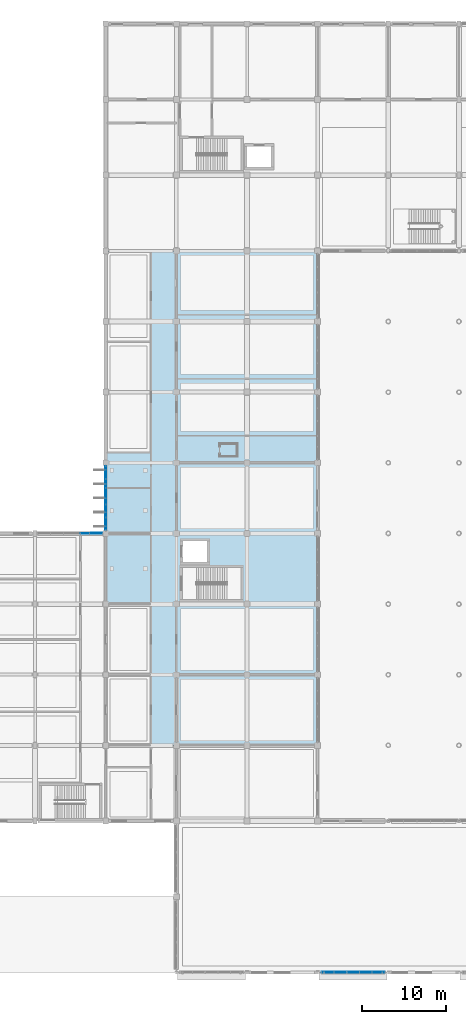
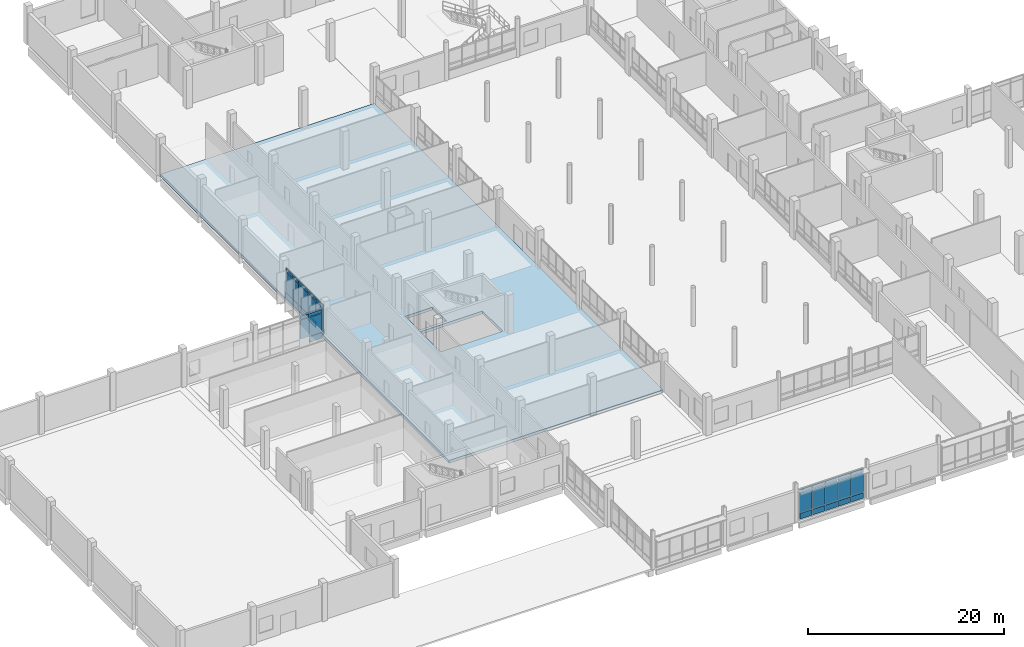
# One storey, part 63 of 95: 35 plates, 1 slab, 2 openings, 3 elements without a shape of their own.
"""IFC4 building model written with IfcOpenShell, lengths in metres."""

from ifc_helpers import new_model, si_unit, direction, frame, origin, origin_2d, place, context, subcontext, project, spatial, polyline, rectangle, outline, extrude, material, layer, layer_set, type_object, element, aggregate, save


model = new_model("IFC4")

# Units and contexts
model_context = context("Model", 3, precision=1e-05, world=origin(), true_north=direction((0.0, 1.0)))
body_context = subcontext(model_context, "Body", "Model", "MODEL_VIEW")
ifc_project = project(units=[si_unit("LENGTHUNIT", "METRE"), si_unit("AREAUNIT", "SQUARE_METRE"), si_unit("VOLUMEUNIT", "CUBIC_METRE"), si_unit("PLANEANGLEUNIT", "RADIAN"), si_unit("MASSUNIT", "GRAM", prefix="KILO")], contexts=[model_context])

# Site, building, storey
site_placement = place(None, origin())
site = spatial("IfcSite", under=ifc_project, at=site_placement, CompositionType="ELEMENT")
building_placement = place(site_placement, origin())
building = spatial("IfcBuilding", under=site, at=building_placement, Name="Vireocrest Preparatory School", CompositionType="ELEMENT")
storey_placement = place(building_placement, origin())
storey = spatial("IfcBuildingStorey", under=building, at=storey_placement, Name="L00", CompositionType="ELEMENT", Elevation=0.0)

# Curtain wall, plates
ifc_material_1 = material(Name="Thermally broken aluminium EN AW-6063-T6", Category="aluminium")
ifc_layer_1 = layer(ifc_material_1, 0.179931640625)
ifc_layer_set_1 = layer_set([ifc_layer_1], Name="Thermally broken aluminium EN AW-6063-T6")
curtain_wall_type_1 = type_object("IfcCurtainWallType", Name="Ground Storefront Curtain Wall 8400x4800", PredefinedType="USERDEFINED", material=ifc_layer_set_1)
curtain_wall_1_placement = place(storey_placement, origin())
curtain_wall_1 = element("IfcCurtainWall", 1, at=curtain_wall_1_placement, inside=storey, type_object=curtain_wall_type_1, Name="Curtain Wall CW04 CW_L00_CW04_0420_0525_000", ObjectType="CURTAIN WALL", PredefinedType="USERDEFINED")
ifc_material_2 = material(Name="Insulated triple low-e tempered safety glass", Category="glass")
ifc_layer_2 = layer(ifc_material_2, 0.074951171875)
ifc_layer_set_2 = layer_set([ifc_layer_2], Name="Insulated triple low-e tempered safety glass")
plate_type_1 = type_object("IfcPlateType", Name="Acoustic Triple-Glazed Lab Curtain Panel 75", PredefinedType="CURTAIN_PANEL", material=ifc_layer_set_2)
plate_1_placement = place(storey_placement, frame((42.0, 53.347900390625, 0.88232421875), z_axis=(0.0, 0.0, 1.0), x_axis=(0.0, 1.0, 0.0)))
plate_1 = element("IfcPlate", 2, at=plate_1_placement, type_object=plate_type_1, Name="CW Panel GL2 CW_L00_CW04_0420_0525_000-1-2", PredefinedType="CURTAIN_PANEL", context=body_context, shape_type="SweptSolid", body=[
    extrude(rectangle(XDim=1.4609375, YDim=0.074951171875, at=origin_2d()), origin(), (0.0, 0.0, 1.0), 2.487060546875),
])
plate_2_placement = place(storey_placement, frame((42.0, 53.347900390625, 3.4345703125), z_axis=(0.0, 0.0, 1.0), x_axis=(0.0, 1.0, 0.0)))
plate_2 = element("IfcPlate", 3, at=plate_2_placement, type_object=plate_type_1, Name="CW Panel GL2 CW_L00_CW04_0420_0525_000-1-3", PredefinedType="CURTAIN_PANEL", context=body_context, shape_type="SweptSolid", body=[
    extrude(rectangle(XDim=1.4609375, YDim=0.074951171875, at=origin_2d()), origin(), (0.0, 0.0, 1.0), 0.409912109375),
])
plate_3_placement = place(storey_placement, frame((42.0, 54.8740234375, 0.88232421875), z_axis=(0.0, 0.0, 1.0), x_axis=(0.0, 1.0, 0.0)))
plate_3 = element("IfcPlate", 4, at=plate_3_placement, type_object=plate_type_1, Name="CW Panel GL2 CW_L00_CW04_0420_0525_000-2-2", PredefinedType="CURTAIN_PANEL", context=body_context, shape_type="SweptSolid", body=[
    extrude(rectangle(XDim=1.4609375, YDim=0.074951171875, at=origin_2d()), origin(), (0.0, 0.0, 1.0), 2.487060546875),
])
plate_4_placement = place(storey_placement, frame((42.0, 54.8740234375, 3.4345703125), z_axis=(0.0, 0.0, 1.0), x_axis=(0.0, 1.0, 0.0)))
plate_4 = element("IfcPlate", 5, at=plate_4_placement, type_object=plate_type_1, Name="CW Panel GL2 CW_L00_CW04_0420_0525_000-2-3", PredefinedType="CURTAIN_PANEL", context=body_context, shape_type="SweptSolid", body=[
    extrude(rectangle(XDim=1.4609375, YDim=0.074951171875, at=origin_2d()), origin(), (0.0, 0.0, 1.0), 0.409912109375),
])
plate_5_placement = place(storey_placement, frame((42.0, 56.618408203125, 0.88232421875), z_axis=(0.0, 0.0, 1.0), x_axis=(0.0, 1.0, 0.0)))
plate_5 = element("IfcPlate", 6, at=plate_5_placement, type_object=plate_type_1, Name="CW Panel GL2 CW_L00_CW04_0420_0525_000-3-2", PredefinedType="CURTAIN_PANEL", context=body_context, shape_type="SweptSolid", body=[
    extrude(rectangle(XDim=1.89794921875, YDim=0.074951171875, at=origin_2d()), origin(), (0.0, 0.0, 1.0), 2.487060546875),
])
plate_6_placement = place(storey_placement, frame((42.0, 56.618408203125, 3.4345703125), z_axis=(0.0, 0.0, 1.0), x_axis=(0.0, 1.0, 0.0)))
plate_6 = element("IfcPlate", 7, at=plate_6_placement, type_object=plate_type_1, Name="CW Panel GL2 CW_L00_CW04_0420_0525_000-3-3", PredefinedType="CURTAIN_PANEL", context=body_context, shape_type="SweptSolid", body=[
    extrude(rectangle(XDim=1.89794921875, YDim=0.074951171875, at=origin_2d()), origin(), (0.0, 0.0, 1.0), 0.409912109375),
])
plate_7_placement = place(storey_placement, frame((42.0, 58.14453125, 0.88232421875), z_axis=(0.0, 0.0, 1.0), x_axis=(0.0, 1.0, 0.0)))
plate_7 = element("IfcPlate", 8, at=plate_7_placement, type_object=plate_type_1, Name="CW Panel GL2 CW_L00_CW04_0420_0525_000-4-2", PredefinedType="CURTAIN_PANEL", context=body_context, shape_type="SweptSolid", body=[
    extrude(rectangle(XDim=1.02392578125, YDim=0.074951171875, at=origin_2d()), origin(), (0.0, 0.0, 1.0), 2.487060546875),
])
plate_8_placement = place(storey_placement, frame((42.0, 58.14453125, 3.4345703125), z_axis=(0.0, 0.0, 1.0), x_axis=(0.0, 1.0, 0.0)))
plate_8 = element("IfcPlate", 9, at=plate_8_placement, type_object=plate_type_1, Name="CW Panel GL2 CW_L00_CW04_0420_0525_000-4-3", PredefinedType="CURTAIN_PANEL", context=body_context, shape_type="SweptSolid", body=[
    extrude(rectangle(XDim=1.02392578125, YDim=0.074951171875, at=origin_2d()), origin(), (0.0, 0.0, 1.0), 0.409912109375),
])
plate_9_placement = place(storey_placement, frame((42.0, 59.451904296875, 0.88232421875), z_axis=(0.0, 0.0, 1.0), x_axis=(0.0, 1.0, 0.0)))
plate_9 = element("IfcPlate", 10, at=plate_9_placement, type_object=plate_type_1, Name="CW Panel GL2 CW_L00_CW04_0420_0525_000-5-2", PredefinedType="CURTAIN_PANEL", context=body_context, shape_type="SweptSolid", body=[
    extrude(rectangle(XDim=1.4609375, YDim=0.074951171875, at=origin_2d()), origin(), (0.0, 0.0, 1.0), 2.487060546875),
])
plate_10_placement = place(storey_placement, frame((42.0, 59.451904296875, 3.4345703125), z_axis=(0.0, 0.0, 1.0), x_axis=(0.0, 1.0, 0.0)))
plate_10 = element("IfcPlate", 11, at=plate_10_placement, type_object=plate_type_1, Name="CW Panel GL2 CW_L00_CW04_0420_0525_000-5-3", PredefinedType="CURTAIN_PANEL", context=body_context, shape_type="SweptSolid", body=[
    extrude(rectangle(XDim=1.4609375, YDim=0.074951171875, at=origin_2d()), origin(), (0.0, 0.0, 1.0), 0.409912109375),
])

ifc_layer_3 = layer(ifc_material_1, 0.179931640625)
ifc_layer_set_3 = layer_set([ifc_layer_3], Name="Thermally broken aluminium EN AW-6063-T6")
curtain_wall_type_2 = type_object("IfcCurtainWallType", Name="Side Facade Curtain Wall 9000x4200", PredefinedType="USERDEFINED", material=ifc_layer_set_3)
curtain_wall_2_placement = place(storey_placement, origin())
curtain_wall_2 = element("IfcCurtainWall", 12, at=curtain_wall_2_placement, inside=storey, type_object=curtain_wall_type_2, Name="Curtain Wall CW07 CW_L00_CW07_0338_0522_000", ObjectType="CURTAIN WALL", PredefinedType="USERDEFINED")
plate_11_placement = place(storey_placement, frame((39.534423828125, 52.199951171875, 0.882568359375), z_axis=(0.0, 0.0, 1.0), x_axis=(1.0, 0.0, 0.0)))
plate_11 = element("IfcPlate", 13, at=plate_11_placement, type_object=plate_type_1, Name="CW Panel GL2 CW_L00_CW07_0338_0522_000-4-2", PredefinedType="CURTAIN_PANEL", context=body_context, shape_type="SweptSolid", body=[
    extrude(rectangle(XDim=1.00390625, YDim=0.074951171875, at=origin_2d()), origin(), (0.0, 0.0, 1.0), 2.35498046875),
])
plate_12_placement = place(storey_placement, frame((39.534423828125, 52.199951171875, 3.302734375), z_axis=(0.0, 0.0, 1.0), x_axis=(1.0, 0.0, 0.0)))
plate_12 = element("IfcPlate", 14, at=plate_12_placement, type_object=plate_type_1, Name="CW Panel GL2 CW_L00_CW07_0338_0522_000-4-3", PredefinedType="CURTAIN_PANEL", context=body_context, shape_type="SweptSolid", body=[
    extrude(rectangle(XDim=1.00390625, YDim=0.074951171875, at=origin_2d()), origin(), (0.0, 0.0, 1.0), 0.409912109375),
])
plate_13_placement = place(storey_placement, frame((40.842041015625, 52.199951171875, 0.882568359375), z_axis=(0.0, 0.0, 1.0), x_axis=(1.0, 0.0, 0.0)))
plate_13 = element("IfcPlate", 15, at=plate_13_placement, type_object=plate_type_1, Name="CW Panel GL2 CW_L00_CW07_0338_0522_000-5-2", PredefinedType="CURTAIN_PANEL", context=body_context, shape_type="SweptSolid", body=[
    extrude(rectangle(XDim=1.48095703125, YDim=0.074951171875, at=origin_2d()), origin(), (0.0, 0.0, 1.0), 2.35498046875),
])
plate_14_placement = place(storey_placement, frame((40.842041015625, 52.199951171875, 3.302734375), z_axis=(0.0, 0.0, 1.0), x_axis=(1.0, 0.0, 0.0)))
plate_14 = element("IfcPlate", 16, at=plate_14_placement, type_object=plate_type_1, Name="CW Panel GL2 CW_L00_CW07_0338_0522_000-5-3", PredefinedType="CURTAIN_PANEL", context=body_context, shape_type="SweptSolid", body=[
    extrude(rectangle(XDim=1.48095703125, YDim=0.074951171875, at=origin_2d()), origin(), (0.0, 0.0, 1.0), 0.409912109375),
])

# Slab, openings
ifc_material_3 = material(Name="Concrete 40 MPa", Category="concrete")
ifc_layer_4 = layer(ifc_material_3, 0.35009765625)
ifc_layer_set_4 = layer_set([ifc_layer_4], Name="Concrete 40 MPa")
slab_type = type_object("IfcSlabType", Name="Ground-Floor Structural Transfer RC Slab 350", PredefinedType="FLOOR", material=ifc_layer_set_4)
slab_placement = place(storey_placement, frame((0.0, 0.0, -0.35009765625)))
slab = element("IfcSlab", 17, at=slab_placement, inside=storey, type_object=slab_type, Name="Slab L00_WEST_BAR", PredefinedType="FLOOR", context=body_context, shape_type="SweptSolid", body=[
    extrude(outline(polyline([(42.0, 27.0), (67.199951171875, 27.0), (67.199951171875, 85.800048828125), (42.0, 85.800048828125), (42.0, 27.0)])), origin(), (0.0, 0.0, 1.0), 0.35009765625),
])
opening_1_placement = place(slab_placement, frame((0.0, 0.0, -0.010009765625)))
element("IfcOpeningElement", 18, at=opening_1_placement, cuts=slab, Name="Slab Opening SLAB_L00_WEST_BAR-1", PredefinedType="OPENING", context=body_context, shape_type="SweptSolid", body=[
    extrude(outline(polyline([(50.949951171875, 44.199951171875), (58.25, 44.199951171875), (58.25, 48.300048828125), (50.949951171875, 48.300048828125), (50.949951171875, 44.199951171875)])), origin(), (0.0, 0.0, 1.0), 0.3701171875),
])
opening_2_placement = place(slab_placement, frame((0.0, 0.0, -0.010009765625)))
element("IfcOpeningElement", 19, at=opening_2_placement, cuts=slab, Name="Slab Opening SLAB_L00_WEST_BAR-2", PredefinedType="OPENING", context=body_context, shape_type="SweptSolid", body=[
    extrude(outline(polyline([(51.0, 48.64990234375), (54.199951171875, 48.64990234375), (54.199951171875, 51.449951171875), (51.0, 51.449951171875), (51.0, 48.64990234375)])), origin(), (0.0, 0.0, 1.0), 0.3701171875),
])

# Plate
ifc_material_4 = material(Name="Painted white aluminium cladding EN AW-6063-T6", Category="aluminium")
ifc_layer_5 = layer(ifc_material_4, 0.114990234375)
ifc_layer_set_5 = layer_set([ifc_layer_5], Name="Painted white aluminium cladding EN AW-6063-T6")
plate_type_2 = type_object("IfcPlateType", Name="Insulated White Spandrel Curtain Panel 115", PredefinedType="CURTAIN_PANEL", material=ifc_layer_set_5)
plate_15_placement = place(storey_placement, frame((42.0, 53.347900390625, 0.12744140625), z_axis=(0.0, 0.0, 1.0), x_axis=(0.0, 1.0, 0.0)))
plate_15 = element("IfcPlate", 20, at=plate_15_placement, type_object=plate_type_2, Name="CW Panel SP2 CW_L00_CW04_0420_0525_000-1-1", PredefinedType="CURTAIN_PANEL", context=body_context, shape_type="SweptSolid", body=[
    extrude(rectangle(XDim=1.4609375, YDim=0.114990234375, at=origin_2d()), origin(), (0.0, 0.0, 1.0), 0.68994140625),
])

plate_16_placement = place(storey_placement, frame((42.0, 54.8740234375, 0.12744140625), z_axis=(0.0, 0.0, 1.0), x_axis=(0.0, 1.0, 0.0)))
plate_16 = element("IfcPlate", 21, at=plate_16_placement, type_object=plate_type_2, Name="CW Panel SP2 CW_L00_CW04_0420_0525_000-2-1", PredefinedType="CURTAIN_PANEL", context=body_context, shape_type="SweptSolid", body=[
    extrude(rectangle(XDim=1.4609375, YDim=0.114990234375, at=origin_2d()), origin(), (0.0, 0.0, 1.0), 0.68994140625),
])

plate_17_placement = place(storey_placement, frame((42.0, 56.618408203125, 0.12744140625), z_axis=(0.0, 0.0, 1.0), x_axis=(0.0, 1.0, 0.0)))
plate_17 = element("IfcPlate", 22, at=plate_17_placement, type_object=plate_type_2, Name="CW Panel SP2 CW_L00_CW04_0420_0525_000-3-1", PredefinedType="CURTAIN_PANEL", context=body_context, shape_type="SweptSolid", body=[
    extrude(rectangle(XDim=1.89794921875, YDim=0.114990234375, at=origin_2d()), origin(), (0.0, 0.0, 1.0), 0.68994140625),
])

plate_18_placement = place(storey_placement, frame((42.0, 58.14453125, 0.12744140625), z_axis=(0.0, 0.0, 1.0), x_axis=(0.0, 1.0, 0.0)))
plate_18 = element("IfcPlate", 23, at=plate_18_placement, type_object=plate_type_2, Name="CW Panel SP2 CW_L00_CW04_0420_0525_000-4-1", PredefinedType="CURTAIN_PANEL", context=body_context, shape_type="SweptSolid", body=[
    extrude(rectangle(XDim=1.02392578125, YDim=0.114990234375, at=origin_2d()), origin(), (0.0, 0.0, 1.0), 0.68994140625),
])

plate_19_placement = place(storey_placement, frame((42.0, 59.451904296875, 0.12744140625), z_axis=(0.0, 0.0, 1.0), x_axis=(0.0, 1.0, 0.0)))
plate_19 = element("IfcPlate", 24, at=plate_19_placement, type_object=plate_type_2, Name="CW Panel SP2 CW_L00_CW04_0420_0525_000-5-1", PredefinedType="CURTAIN_PANEL", context=body_context, shape_type="SweptSolid", body=[
    extrude(rectangle(XDim=1.4609375, YDim=0.114990234375, at=origin_2d()), origin(), (0.0, 0.0, 1.0), 0.68994140625),
])

aggregate(curtain_wall_1, [plate_15, plate_1, plate_2, plate_16, plate_3, plate_4, plate_17, plate_5, plate_6, plate_18, plate_7, plate_8, plate_19, plate_9, plate_10])

plate_20_placement = place(storey_placement, frame((40.842041015625, 52.199951171875, 0.12744140625), z_axis=(0.0, 0.0, 1.0), x_axis=(1.0, 0.0, 0.0)))
plate_20 = element("IfcPlate", 25, at=plate_20_placement, type_object=plate_type_2, Name="CW Panel SP2 CW_L00_CW07_0338_0522_000-5-1", PredefinedType="CURTAIN_PANEL", context=body_context, shape_type="SweptSolid", body=[
    extrude(rectangle(XDim=1.48095703125, YDim=0.114990234375, at=origin_2d()), origin(), (0.0, 0.0, 1.0), 0.68994140625),
])

aggregate(curtain_wall_2, [plate_11, plate_12, plate_20, plate_13, plate_14])

# Curtain wall, plates
ifc_layer_6 = layer(ifc_material_1, 0.179931640625)
ifc_layer_set_6 = layer_set([ifc_layer_6], Name="Thermally broken aluminium EN AW-6063-T6")
curtain_wall_type_3 = type_object("IfcCurtainWallType", Name="Dining Garden Storefront 8400x4400", PredefinedType="USERDEFINED", material=ifc_layer_set_6)
curtain_wall_3_placement = place(storey_placement, origin())
curtain_wall_3 = element("IfcCurtainWall", 26, at=curtain_wall_3_placement, inside=storey, type_object=curtain_wall_type_3, Name="Curtain Wall CW10 CW_L00_CW10_0676_0000_000", ObjectType="CURTAIN WALL", PredefinedType="USERDEFINED")
plate_21_placement = place(storey_placement, frame((68.394775390625, 0.0, 0.12744140625), z_axis=(0.0, 0.0, 1.0), x_axis=(1.0, 0.0, 0.0)))
plate_21 = element("IfcPlate", 27, at=plate_21_placement, type_object=plate_type_2, Name="CW Panel SP2 CW_L00_CW10_0676_0000_000-1-1", PredefinedType="CURTAIN_PANEL", context=body_context, shape_type="SweptSolid", body=[
    extrude(rectangle(XDim=1.445556640625, YDim=0.114990234375, at=origin_2d()), origin(), (0.0, 0.0, 1.0), 0.68994140625),
])
plate_22_placement = place(storey_placement, frame((69.905517578125, 0.0, 0.12744140625), z_axis=(0.0, 0.0, 1.0), x_axis=(1.0, 0.0, 0.0)))
plate_22 = element("IfcPlate", 28, at=plate_22_placement, type_object=plate_type_2, Name="CW Panel SP2 CW_L00_CW10_0676_0000_000-2-1", PredefinedType="CURTAIN_PANEL", context=body_context, shape_type="SweptSolid", body=[
    extrude(rectangle(XDim=1.445556640625, YDim=0.114990234375, at=origin_2d()), origin(), (0.0, 0.0, 1.0), 0.68994140625),
])
plate_23_placement = place(storey_placement, frame((71.416015625, 0.0, 0.12744140625), z_axis=(0.0, 0.0, 1.0), x_axis=(1.0, 0.0, 0.0)))
plate_23 = element("IfcPlate", 29, at=plate_23_placement, type_object=plate_type_2, Name="CW Panel SP2 CW_L00_CW10_0676_0000_000-3-1", PredefinedType="CURTAIN_PANEL", context=body_context, shape_type="SweptSolid", body=[
    extrude(rectangle(XDim=1.445556640625, YDim=0.114990234375, at=origin_2d()), origin(), (0.0, 0.0, 1.0), 0.68994140625),
])
plate_24_placement = place(storey_placement, frame((72.926513671875, 0.0, 0.12744140625), z_axis=(0.0, 0.0, 1.0), x_axis=(1.0, 0.0, 0.0)))
plate_24 = element("IfcPlate", 30, at=plate_24_placement, type_object=plate_type_2, Name="CW Panel SP2 CW_L00_CW10_0676_0000_000-4-1", PredefinedType="CURTAIN_PANEL", context=body_context, shape_type="SweptSolid", body=[
    extrude(rectangle(XDim=1.445556640625, YDim=0.114990234375, at=origin_2d()), origin(), (0.0, 0.0, 1.0), 0.68994140625),
])
plate_25_placement = place(storey_placement, frame((74.437255859375, 0.0, 0.12744140625), z_axis=(0.0, 0.0, 1.0), x_axis=(1.0, 0.0, 0.0)))
plate_25 = element("IfcPlate", 31, at=plate_25_placement, type_object=plate_type_2, Name="CW Panel SP2 CW_L00_CW10_0676_0000_000-5-1", PredefinedType="CURTAIN_PANEL", context=body_context, shape_type="SweptSolid", body=[
    extrude(rectangle(XDim=1.445556640625, YDim=0.114990234375, at=origin_2d()), origin(), (0.0, 0.0, 1.0), 0.68994140625),
])
ifc_layer_7 = layer(ifc_material_2, 0.06005859375)
ifc_layer_set_7 = layer_set([ifc_layer_7], Name="Insulated triple low-e tempered safety glass")
plate_type_3 = type_object("IfcPlateType", Name="Triple-Glazed Vision Curtain Panel 60", PredefinedType="CURTAIN_PANEL", material=ifc_layer_set_7)
plate_26_placement = place(storey_placement, frame((68.394775390625, 0.0, 0.88232421875), z_axis=(0.0, 0.0, 1.0), x_axis=(1.0, 0.0, 0.0)))
plate_26 = element("IfcPlate", 32, at=plate_26_placement, type_object=plate_type_3, Name="CW Panel GL1 CW_L00_CW10_0676_0000_000-1-2", PredefinedType="CURTAIN_PANEL", context=body_context, shape_type="SweptSolid", body=[
    extrude(rectangle(XDim=1.445556640625, YDim=0.06005859375, at=origin_2d()), origin(), (0.0, 0.0, 1.0), 2.412109375),
])
plate_27_placement = place(storey_placement, frame((68.394775390625, 0.0, 3.359375), z_axis=(0.0, 0.0, 1.0), x_axis=(1.0, 0.0, 0.0)))
plate_27 = element("IfcPlate", 33, at=plate_27_placement, type_object=plate_type_3, Name="CW Panel GL1 CW_L00_CW10_0676_0000_000-1-3", PredefinedType="CURTAIN_PANEL", context=body_context, shape_type="SweptSolid", body=[
    extrude(rectangle(XDim=1.445556640625, YDim=0.06005859375, at=origin_2d()), origin(), (0.0, 0.0, 1.0), 0.409912109375),
])
plate_28_placement = place(storey_placement, frame((69.905517578125, 0.0, 0.88232421875), z_axis=(0.0, 0.0, 1.0), x_axis=(1.0, 0.0, 0.0)))
plate_28 = element("IfcPlate", 34, at=plate_28_placement, type_object=plate_type_3, Name="CW Panel GL1 CW_L00_CW10_0676_0000_000-2-2", PredefinedType="CURTAIN_PANEL", context=body_context, shape_type="SweptSolid", body=[
    extrude(rectangle(XDim=1.445556640625, YDim=0.06005859375, at=origin_2d()), origin(), (0.0, 0.0, 1.0), 2.412109375),
])
plate_29_placement = place(storey_placement, frame((69.905517578125, 0.0, 3.359375), z_axis=(0.0, 0.0, 1.0), x_axis=(1.0, 0.0, 0.0)))
plate_29 = element("IfcPlate", 35, at=plate_29_placement, type_object=plate_type_3, Name="CW Panel GL1 CW_L00_CW10_0676_0000_000-2-3", PredefinedType="CURTAIN_PANEL", context=body_context, shape_type="SweptSolid", body=[
    extrude(rectangle(XDim=1.445556640625, YDim=0.06005859375, at=origin_2d()), origin(), (0.0, 0.0, 1.0), 0.409912109375),
])
plate_30_placement = place(storey_placement, frame((71.416015625, 0.0, 0.88232421875), z_axis=(0.0, 0.0, 1.0), x_axis=(1.0, 0.0, 0.0)))
plate_30 = element("IfcPlate", 36, at=plate_30_placement, type_object=plate_type_3, Name="CW Panel GL1 CW_L00_CW10_0676_0000_000-3-2", PredefinedType="CURTAIN_PANEL", context=body_context, shape_type="SweptSolid", body=[
    extrude(rectangle(XDim=1.445556640625, YDim=0.06005859375, at=origin_2d()), origin(), (0.0, 0.0, 1.0), 2.412109375),
])
plate_31_placement = place(storey_placement, frame((71.416015625, 0.0, 3.359375), z_axis=(0.0, 0.0, 1.0), x_axis=(1.0, 0.0, 0.0)))
plate_31 = element("IfcPlate", 37, at=plate_31_placement, type_object=plate_type_3, Name="CW Panel GL1 CW_L00_CW10_0676_0000_000-3-3", PredefinedType="CURTAIN_PANEL", context=body_context, shape_type="SweptSolid", body=[
    extrude(rectangle(XDim=1.445556640625, YDim=0.06005859375, at=origin_2d()), origin(), (0.0, 0.0, 1.0), 0.409912109375),
])
plate_32_placement = place(storey_placement, frame((72.926513671875, 0.0, 0.88232421875), z_axis=(0.0, 0.0, 1.0), x_axis=(1.0, 0.0, 0.0)))
plate_32 = element("IfcPlate", 38, at=plate_32_placement, type_object=plate_type_3, Name="CW Panel GL1 CW_L00_CW10_0676_0000_000-4-2", PredefinedType="CURTAIN_PANEL", context=body_context, shape_type="SweptSolid", body=[
    extrude(rectangle(XDim=1.445556640625, YDim=0.06005859375, at=origin_2d()), origin(), (0.0, 0.0, 1.0), 2.412109375),
])
plate_33_placement = place(storey_placement, frame((72.926513671875, 0.0, 3.359375), z_axis=(0.0, 0.0, 1.0), x_axis=(1.0, 0.0, 0.0)))
plate_33 = element("IfcPlate", 39, at=plate_33_placement, type_object=plate_type_3, Name="CW Panel GL1 CW_L00_CW10_0676_0000_000-4-3", PredefinedType="CURTAIN_PANEL", context=body_context, shape_type="SweptSolid", body=[
    extrude(rectangle(XDim=1.445556640625, YDim=0.06005859375, at=origin_2d()), origin(), (0.0, 0.0, 1.0), 0.409912109375),
])
plate_34_placement = place(storey_placement, frame((74.437255859375, 0.0, 0.88232421875), z_axis=(0.0, 0.0, 1.0), x_axis=(1.0, 0.0, 0.0)))
plate_34 = element("IfcPlate", 40, at=plate_34_placement, type_object=plate_type_3, Name="CW Panel GL1 CW_L00_CW10_0676_0000_000-5-2", PredefinedType="CURTAIN_PANEL", context=body_context, shape_type="SweptSolid", body=[
    extrude(rectangle(XDim=1.445556640625, YDim=0.06005859375, at=origin_2d()), origin(), (0.0, 0.0, 1.0), 2.412109375),
])
plate_35_placement = place(storey_placement, frame((74.437255859375, 0.0, 3.359375), z_axis=(0.0, 0.0, 1.0), x_axis=(1.0, 0.0, 0.0)))
plate_35 = element("IfcPlate", 41, at=plate_35_placement, type_object=plate_type_3, Name="CW Panel GL1 CW_L00_CW10_0676_0000_000-5-3", PredefinedType="CURTAIN_PANEL", context=body_context, shape_type="SweptSolid", body=[
    extrude(rectangle(XDim=1.445556640625, YDim=0.06005859375, at=origin_2d()), origin(), (0.0, 0.0, 1.0), 0.409912109375),
])
aggregate(curtain_wall_3, [plate_21, plate_26, plate_27, plate_22, plate_28, plate_29, plate_23, plate_30, plate_31, plate_24, plate_32, plate_33, plate_25, plate_34, plate_35])

save(model, "model.ifc")
